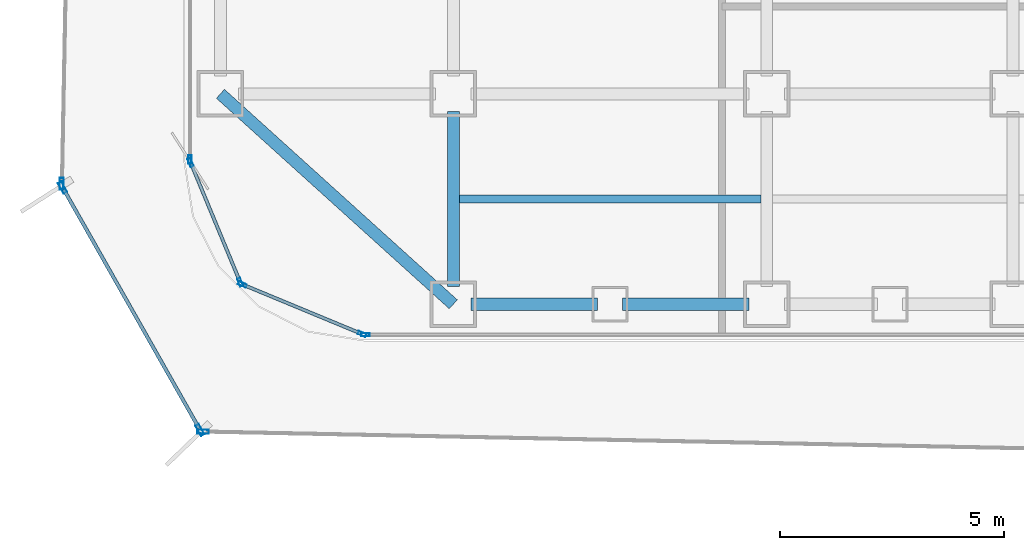
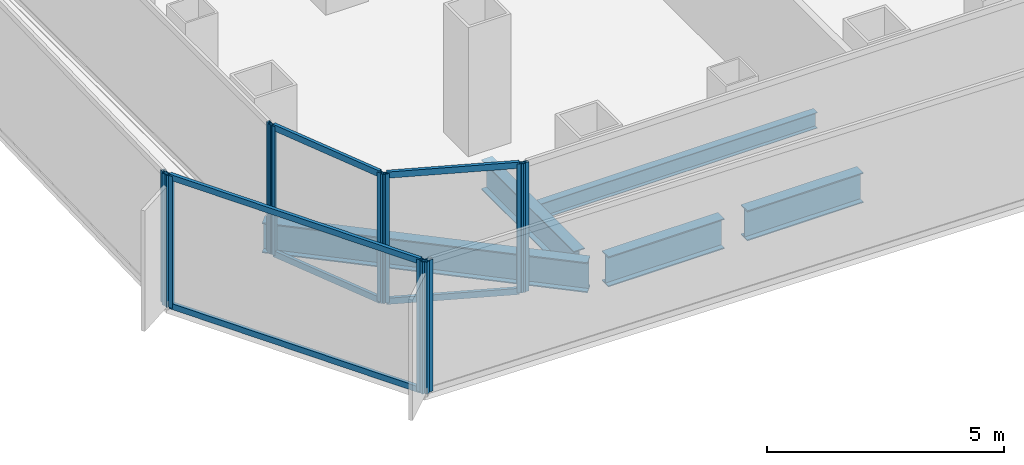
# One storey, part 2 of 21: 16 members, 5 beams, 7 elements without a shape of their own.
"""IFC4 building model written with IfcOpenShell, lengths in metres."""

from ifc_helpers import new_model, si_unit, direction, frame, origin, origin_2d, place, context, subcontext, project, spatial, hollow_rectangle, i_section, extrude, source, transform, mapped, material, layer, layer_set, material_profile, profile_set, type_object, element, aggregate, save


model = new_model("IFC4")

# Units and contexts
model_context = context("Model", 3, precision=1e-05, world=origin(), true_north=direction((0.0, 1.0)))
body_context = subcontext(model_context, "Body", "Model", "MODEL_VIEW")
ifc_project = project(units=[si_unit("LENGTHUNIT", "METRE"), si_unit("AREAUNIT", "SQUARE_METRE"), si_unit("VOLUMEUNIT", "CUBIC_METRE"), si_unit("PLANEANGLEUNIT", "RADIAN"), si_unit("MASSUNIT", "GRAM", prefix="KILO")], contexts=[model_context])

# Site, building, storey
site_placement = place(None, origin())
site = spatial("IfcSite", under=ifc_project, at=site_placement, CompositionType="ELEMENT")
building_placement = place(site_placement, origin())
building = spatial("IfcBuilding", under=site, at=building_placement, Name="Kolveth Station Tower", CompositionType="ELEMENT")
storey_placement = place(building_placement, frame((0.0, 0.0, 62.10009765625)))
storey = spatial("IfcBuildingStorey", under=building, at=storey_placement, Name="L16", CompositionType="ELEMENT", Elevation=62.10009765625)

# Beams
ifc_material_1 = material(Name="Steel S355", Category="steel")
ifc_material_profile_1 = material_profile(ifc_material_1, i_section(OverallWidth=0.26904296875, OverallDepth=0.77490234375, WebThickness=0.01708984375, FlangeThickness=0.0283203125, at=origin_2d()), Name="W760x220")
ifc_profile_set_1 = profile_set([ifc_material_profile_1], Name="Steel S355")
beam_type_1 = type_object("IfcBeamType", Name="Beam_SP1", PredefinedType="SPANDREL", material=ifc_profile_set_1)
shared_shape_1 = source(origin(), body_context, "Body", "SweptSolid", [
    extrude(i_section(OverallWidth=0.26904296875, OverallDepth=0.77490234375, WebThickness=0.01708984375, FlangeThickness=0.0283203125, at=origin_2d()), origin(), (0.0, 0.0, 1.0), 7.00927734375),
])
beam_1_placement = place(storey_placement, frame((0.800048828125, 5.5, -0.66748046875), z_axis=(0.741874009795, -0.670539300557, 0.0), x_axis=(0.670539300557, 0.741874009795, 0.0)))
element("IfcBeam", 1, at=beam_1_placement, inside=storey, type_object=beam_type_1, Name="L16 Corner Edge Girder BM-L16-CNR-SW", PredefinedType="SPANDREL", context=body_context, shape_type="MappedRepresentation", body=[
    mapped(shared_shape_1, transform((0.0, 0.0, 0.0), x_axis=(1.0, 0.0, 0.0), y_axis=(0.0, 1.0, 0.0), z_axis=(0.0, 0.0, 1.0), scale=1.0)),
])
shared_shape_2 = source(origin(), body_context, "Body", "SweptSolid", [
    extrude(i_section(OverallWidth=0.26904296875, OverallDepth=0.77490234375, WebThickness=0.01708984375, FlangeThickness=0.0283203125, at=origin_2d()), origin(), (0.0, 0.0, 1.0), 2.820068359375),
])
for number, where, z_axis, x_axis, name in (
    (2, (6.39990234375, 0.800048828125, -0.66748046875), (1.0, 0.0, 0.0), (0.0, 1.0, 0.0), "L16 Perimeter Spandrel BM-L16-PS-1"),
    (3, (9.780029296875, 0.800048828125, -0.66748046875), (1.0, 0.0, 0.0), (0.0, 1.0, 0.0), "L16 Perimeter Spandrel BM-L16-PS-2"),
):
    element("IfcBeam", number, at=place(storey_placement, frame(where, z_axis=z_axis, x_axis=x_axis)), inside=storey, type_object=beam_type_1, Name=name, PredefinedType="SPANDREL", context=body_context, shape_type="MappedRepresentation", body=[
        mapped(shared_shape_2, transform((0.0, 0.0, 0.0), x_axis=(1.0, 0.0, 0.0), y_axis=(0.0, 1.0, 0.0), z_axis=(0.0, 0.0, 1.0), scale=1.0)),
    ])
ifc_material_profile_2 = material_profile(ifc_material_1, i_section(OverallWidth=0.26708984375, OverallDepth=0.76611328125, WebThickness=0.014892578125, FlangeThickness=0.023681640625, at=origin_2d()), Name="W760x185")
ifc_profile_set_2 = profile_set([ifc_material_profile_2], Name="Steel S355")
beam_type_2 = type_object("IfcBeamType", Name="Beam_B3", PredefinedType="BEAM", material=ifc_profile_set_2)
shared_shape_3 = source(origin(), body_context, "Body", "SweptSolid", [
    extrude(i_section(OverallWidth=0.26708984375, OverallDepth=0.76611328125, WebThickness=0.014892578125, FlangeThickness=0.023681640625, at=origin_2d()), origin(), (0.0, 0.0, 1.0), 3.900146484375),
])
beam_2_placement = place(storey_placement, frame((6.0, 1.199951171875, -0.6630859375), z_axis=(0.0, 1.0, 0.0), x_axis=(-1.0, 0.0, 0.0)))
element("IfcBeam", 4, at=beam_2_placement, inside=storey, type_object=beam_type_2, Name="L16 Primary Girder BM-L16-GX60-1", PredefinedType="BEAM", context=body_context, shape_type="MappedRepresentation", body=[
    mapped(shared_shape_3, transform((0.0, 0.0, 0.0), x_axis=(1.0, 0.0, 0.0), y_axis=(0.0, 1.0, 0.0), z_axis=(0.0, 0.0, 1.0), scale=1.0)),
])
ifc_material_profile_3 = material_profile(ifc_material_1, i_section(OverallWidth=0.177978515625, OverallDepth=0.406982421875, WebThickness=0.0078125, FlangeThickness=0.0126953125, at=origin_2d()), Name="W410x60")
ifc_profile_set_3 = profile_set([ifc_material_profile_3], Name="Steel S355")
beam_type_3 = type_object("IfcBeamType", Name="Beam_J1", PredefinedType="JOIST", material=ifc_profile_set_3)
shared_shape_4 = source(origin(), body_context, "Body", "SweptSolid", [
    extrude(i_section(OverallWidth=0.177978515625, OverallDepth=0.406982421875, WebThickness=0.0078125, FlangeThickness=0.0126953125, at=origin_2d()), origin(), (0.0, 0.0, 1.0), 6.73681640625),
])
beam_3_placement = place(storey_placement, frame((6.131591796875, 3.14990234375, -0.483642578125), z_axis=(1.0, 0.0, 0.0), x_axis=(0.0, 1.0, 0.0)))
element("IfcBeam", 5, at=beam_3_placement, inside=storey, type_object=beam_type_3, Name="L16 Secondary Joist JST-L16-2-1", PredefinedType="JOIST", context=body_context, shape_type="MappedRepresentation", body=[
    mapped(shared_shape_4, transform((0.0, 0.0, 0.0), x_axis=(1.0, 0.0, 0.0), y_axis=(0.0, 1.0, 0.0), z_axis=(0.0, 0.0, 1.0), scale=1.0)),
])

# Curtain wall, members
ifc_material_2 = material(Name="Aluminium 6063-T6 and low-E dark glass", Category="aluminium")
ifc_layer_1 = layer(ifc_material_2, 0.179931640625)
ifc_layer_set_1 = layer_set([ifc_layer_1], Name="Aluminium 6063-T6 and low-E dark glass")
curtain_wall_type_1 = type_object("IfcCurtainWallType", Name="CurtainWall_CW-Z1", PredefinedType="NOTDEFINED", material=ifc_layer_set_1)
curtain_wall_1_placement = place(storey_placement, origin())
curtain_wall_1 = element("IfcCurtainWall", 6, at=curtain_wall_1_placement, inside=storey, type_object=curtain_wall_type_1, Name="L16 Inner Thermal Curtain Wall 10", PredefinedType="NOTDEFINED")
ifc_material_3 = material(Name="Black anodized aluminium 6063-T6", Category="aluminium")
ifc_material_profile_4 = material_profile(ifc_material_3, hollow_rectangle(XDim=0.074951171875, YDim=0.159912109375, WallThickness=0.0048828125, at=origin_2d()), Name="ALU-75x160x5")
ifc_profile_set_4 = profile_set([ifc_material_profile_4], Name="Black anodized aluminium 6063-T6")
member_type_1 = type_object("IfcMemberType", Name="Transom_TR1", PredefinedType="USERDEFINED", material=ifc_profile_set_4)
shared_shape_5 = source(origin(), body_context, "Body", "SweptSolid", [
    extrude(hollow_rectangle(XDim=0.074951171875, YDim=0.159912109375, WallThickness=0.0048828125, at=origin_2d()), origin(), (0.0, 0.0, 1.0), 2.819580078125),
])
member_1_placement = place(storey_placement, frame((0.148681640625, 3.9306640625, 0.037353515625), z_axis=(0.382708655389, -0.923869084389, 0.0), x_axis=(0.923869084389, 0.382708655389, 0.0)))
member_1 = element("IfcMember", 7, at=member_1_placement, type_object=member_type_1, Name="CW-Z1 transom 1.1", ObjectType="TRANSOM", PredefinedType="USERDEFINED", context=body_context, shape_type="MappedRepresentation", body=[
    mapped(shared_shape_5, transform((0.0, 0.0, 0.0), x_axis=(1.0, 0.0, 0.0), y_axis=(0.0, 1.0, 0.0), z_axis=(0.0, 0.0, 1.0), scale=1.0)),
])
member_2_placement = place(storey_placement, frame((0.148681640625, 3.9306640625, 3.282470703125), z_axis=(0.382708655389, -0.923869084389, 0.0), x_axis=(0.923869084389, 0.382708655389, 0.0)))
member_2 = element("IfcMember", 8, at=member_2_placement, type_object=member_type_1, Name="CW-Z1 transom 1.2", ObjectType="TRANSOM", PredefinedType="USERDEFINED", context=body_context, shape_type="MappedRepresentation", body=[
    mapped(shared_shape_5, transform((0.0, 0.0, 0.0), x_axis=(1.0, 0.0, 0.0), y_axis=(0.0, 1.0, 0.0), z_axis=(0.0, 0.0, 1.0), scale=1.0)),
])

curtain_wall_2_placement = place(storey_placement, origin())
curtain_wall_2 = element("IfcCurtainWall", 9, at=curtain_wall_2_placement, inside=storey, type_object=curtain_wall_type_1, Name="L16 Inner Thermal Curtain Wall 11", PredefinedType="NOTDEFINED")
member_3_placement = place(storey_placement, frame((1.32568359375, 1.227783203125, 0.037353515625), z_axis=(0.923869084389, -0.382708655389, 0.0), x_axis=(0.382708655389, 0.923869084389, 0.0)))
member_3 = element("IfcMember", 10, at=member_3_placement, type_object=member_type_1, Name="CW-Z1 transom 1.1", ObjectType="TRANSOM", PredefinedType="USERDEFINED", context=body_context, shape_type="MappedRepresentation", body=[
    mapped(shared_shape_5, transform((0.0, 0.0, 0.0), x_axis=(1.0, 0.0, 0.0), y_axis=(0.0, 1.0, 0.0), z_axis=(0.0, 0.0, 1.0), scale=1.0)),
])
member_4_placement = place(storey_placement, frame((1.32568359375, 1.227783203125, 3.282470703125), z_axis=(0.923869084389, -0.382708655389, 0.0), x_axis=(0.382708655389, 0.923869084389, 0.0)))
member_4 = element("IfcMember", 11, at=member_4_placement, type_object=member_type_1, Name="CW-Z1 transom 1.2", ObjectType="TRANSOM", PredefinedType="USERDEFINED", context=body_context, shape_type="MappedRepresentation", body=[
    mapped(shared_shape_5, transform((0.0, 0.0, 0.0), x_axis=(1.0, 0.0, 0.0), y_axis=(0.0, 1.0, 0.0), z_axis=(0.0, 0.0, 1.0), scale=1.0)),
])

# Curtain wall, member
ifc_material_4 = material(Name="Black anodized aluminium 6063-T6 and dark solar glass", Category="aluminium")
ifc_layer_2 = layer(ifc_material_4, 0.159912109375)
ifc_layer_set_2 = layer_set([ifc_layer_2], Name="Black anodized aluminium 6063-T6 and dark solar glass")
curtain_wall_type_2 = type_object("IfcCurtainWallType", Name="OUTER SKIN CW-OS", PredefinedType="NOTDEFINED", material=ifc_layer_set_2)
curtain_wall_3_placement = place(storey_placement, origin())
curtain_wall_3 = element("IfcCurtainWall", 12, at=curtain_wall_3_placement, inside=storey, type_object=curtain_wall_type_2, Name="L16 Outer Ventilated Skin Curtain Wall 6", PredefinedType="NOTDEFINED")
ifc_material_profile_5 = material_profile(ifc_material_3, hollow_rectangle(XDim=0.090087890625, YDim=0.260009765625, WallThickness=0.0048828125, at=origin_2d()), Name="ALU-90x260x5")
ifc_profile_set_5 = profile_set([ifc_material_profile_5], Name="Black anodized aluminium 6063-T6")
member_type_2 = type_object("IfcMemberType", Name="FIN MULLION ML-OS", PredefinedType="MULLION", material=ifc_profile_set_5)
shared_shape_6 = source(origin(), body_context, "Body", "SweptSolid", [
    extrude(hollow_rectangle(XDim=0.090087890625, YDim=0.260009765625, WallThickness=0.0048828125, at=origin_2d()), origin(), (0.0, 0.0, 1.0), 3.389892578125),
])
member_5_placement = place(storey_placement, frame((-2.7451171875, 3.49072265625, 0.0), z_axis=(0.0, 0.0, 1.0), x_axis=(0.999817465529, -0.019105905432, 0.0)))
member_5 = element("IfcMember", 13, at=member_5_placement, type_object=member_type_2, Name="CW-OS mullion 2", PredefinedType="MULLION", context=body_context, shape_type="MappedRepresentation", body=[
    mapped(shared_shape_6, transform((0.0, 0.0, 0.0), x_axis=(1.0, 0.0, 0.0), y_axis=(0.0, 1.0, 0.0), z_axis=(0.0, 0.0, 1.0), scale=1.0)),
])
aggregate(curtain_wall_3, [member_5])

# Curtain wall, members
curtain_wall_4_placement = place(storey_placement, origin())
curtain_wall_4 = element("IfcCurtainWall", 14, at=curtain_wall_4_placement, inside=storey, type_object=curtain_wall_type_2, Name="L16 Outer Ventilated Skin Curtain Wall 7", PredefinedType="NOTDEFINED")
member_6_placement = place(storey_placement, frame((-2.723876953125, 3.40673828125, 0.0), z_axis=(0.0, 0.0, 1.0), x_axis=(0.870000438445, 0.493050947779, 0.0)))
member_6 = element("IfcMember", 15, at=member_6_placement, type_object=member_type_2, Name="CW-OS mullion 1", PredefinedType="MULLION", context=body_context, shape_type="MappedRepresentation", body=[
    mapped(shared_shape_6, transform((0.0, 0.0, 0.0), x_axis=(1.0, 0.0, 0.0), y_axis=(0.0, 1.0, 0.0), z_axis=(0.0, 0.0, 1.0), scale=1.0)),
])
member_7_placement = place(storey_placement, frame((0.34375, -2.00634765625, 0.0), z_axis=(0.0, 0.0, 1.0), x_axis=(0.870000438445, 0.493050947779, 0.0)))
member_7 = element("IfcMember", 16, at=member_7_placement, type_object=member_type_2, Name="CW-OS mullion 2", PredefinedType="MULLION", context=body_context, shape_type="MappedRepresentation", body=[
    mapped(shared_shape_6, transform((0.0, 0.0, 0.0), x_axis=(1.0, 0.0, 0.0), y_axis=(0.0, 1.0, 0.0), z_axis=(0.0, 0.0, 1.0), scale=1.0)),
])

# Curtain wall, member
curtain_wall_5_placement = place(storey_placement, origin())
curtain_wall_5 = element("IfcCurtainWall", 17, at=curtain_wall_5_placement, inside=storey, type_object=curtain_wall_type_2, Name="L16 Outer Ventilated Skin Curtain Wall 8", PredefinedType="NOTDEFINED")
member_8_placement = place(storey_placement, frame((0.410888671875, -2.04638671875, 0.0), z_axis=(0.0, 0.0, 1.0), x_axis=(0.020354186443, 0.999792832088, 0.0)))
member_8 = element("IfcMember", 18, at=member_8_placement, type_object=member_type_2, Name="CW-OS mullion 1", PredefinedType="MULLION", context=body_context, shape_type="MappedRepresentation", body=[
    mapped(shared_shape_6, transform((0.0, 0.0, 0.0), x_axis=(1.0, 0.0, 0.0), y_axis=(0.0, 1.0, 0.0), z_axis=(0.0, 0.0, 1.0), scale=1.0)),
])
aggregate(curtain_wall_5, [member_8])

curtain_wall_6_placement = place(storey_placement, origin())
curtain_wall_6 = element("IfcCurtainWall", 19, at=curtain_wall_6_placement, inside=storey, type_object=curtain_wall_type_1, Name="L16 Inner Thermal Curtain Wall 9", PredefinedType="NOTDEFINED")
ifc_material_profile_6 = material_profile(ifc_material_3, hollow_rectangle(XDim=0.074951171875, YDim=0.18994140625, WallThickness=0.0048828125, at=origin_2d()), Name="ALU-75x190x5")
ifc_profile_set_6 = profile_set([ifc_material_profile_6], Name="Black anodized aluminium 6063-T6")
member_type_3 = type_object("IfcMemberType", Name="Mullion_ML1", PredefinedType="MULLION", material=ifc_profile_set_6)
shared_shape_7 = source(origin(), body_context, "Body", "SweptSolid", [
    extrude(hollow_rectangle(XDim=0.074951171875, YDim=0.18994140625, WallThickness=0.0048828125, at=origin_2d()), origin(), (0.0, 0.0, 1.0), 3.31982421875),
])
member_9_placement = place(storey_placement, frame((0.1201171875, 4.03759765625, 0.0), z_axis=(0.0, 0.0, 1.0), x_axis=(1.0, 0.0, 0.0)))
member_9 = element("IfcMember", 20, at=member_9_placement, type_object=member_type_3, Name="CW-Z1 mullion 2", PredefinedType="MULLION", context=body_context, shape_type="MappedRepresentation", body=[
    mapped(shared_shape_7, transform((0.0, 0.0, 0.0), x_axis=(1.0, 0.0, 0.0), y_axis=(0.0, 1.0, 0.0), z_axis=(0.0, 0.0, 1.0), scale=1.0)),
])
aggregate(curtain_wall_6, [member_9])

# Member
member_10_placement = place(storey_placement, frame((0.13427734375, 3.96533203125, 0.0), z_axis=(0.0, 0.0, 1.0), x_axis=(0.923883857728, 0.382672990201, 0.0)))
member_10 = element("IfcMember", 21, at=member_10_placement, type_object=member_type_3, Name="CW-Z1 mullion 1", PredefinedType="MULLION", context=body_context, shape_type="MappedRepresentation", body=[
    mapped(shared_shape_7, transform((0.0, 0.0, 0.0), x_axis=(1.0, 0.0, 0.0), y_axis=(0.0, 1.0, 0.0), z_axis=(0.0, 0.0, 1.0), scale=1.0)),
])

member_11_placement = place(storey_placement, frame((1.241943359375, 1.291015625, 0.0), z_axis=(0.0, 0.0, 1.0), x_axis=(0.923883857728, 0.382672990201, 0.0)))
member_11 = element("IfcMember", 22, at=member_11_placement, type_object=member_type_3, Name="CW-Z1 mullion 2", PredefinedType="MULLION", context=body_context, shape_type="MappedRepresentation", body=[
    mapped(shared_shape_7, transform((0.0, 0.0, 0.0), x_axis=(1.0, 0.0, 0.0), y_axis=(0.0, 1.0, 0.0), z_axis=(0.0, 0.0, 1.0), scale=1.0)),
])

aggregate(curtain_wall_1, [member_10, member_11, member_1, member_2])

member_12_placement = place(storey_placement, frame((1.291015625, 1.241943359375, 0.0), z_axis=(0.0, 0.0, 1.0), x_axis=(0.382672990201, 0.923883857728, 0.0)))
member_12 = element("IfcMember", 23, at=member_12_placement, type_object=member_type_3, Name="CW-Z1 mullion 1", PredefinedType="MULLION", context=body_context, shape_type="MappedRepresentation", body=[
    mapped(shared_shape_7, transform((0.0, 0.0, 0.0), x_axis=(1.0, 0.0, 0.0), y_axis=(0.0, 1.0, 0.0), z_axis=(0.0, 0.0, 1.0), scale=1.0)),
])

member_13_placement = place(storey_placement, frame((3.96533203125, 0.13427734375, 0.0), z_axis=(0.0, 0.0, 1.0), x_axis=(0.382672990201, 0.923883857728, 0.0)))
member_13 = element("IfcMember", 24, at=member_13_placement, type_object=member_type_3, Name="CW-Z1 mullion 2", PredefinedType="MULLION", context=body_context, shape_type="MappedRepresentation", body=[
    mapped(shared_shape_7, transform((0.0, 0.0, 0.0), x_axis=(1.0, 0.0, 0.0), y_axis=(0.0, 1.0, 0.0), z_axis=(0.0, 0.0, 1.0), scale=1.0)),
])

aggregate(curtain_wall_2, [member_12, member_13, member_3, member_4])

# Curtain wall, member
curtain_wall_7_placement = place(storey_placement, origin())
curtain_wall_7 = element("IfcCurtainWall", 25, at=curtain_wall_7_placement, inside=storey, type_object=curtain_wall_type_1, Name="L16 Inner Thermal Curtain Wall 12", PredefinedType="NOTDEFINED")
member_14_placement = place(storey_placement, frame((4.03759765625, 0.1201171875, 0.0), z_axis=(0.0, 0.0, 1.0), x_axis=(0.0, 1.0, 0.0)))
member_14 = element("IfcMember", 26, at=member_14_placement, type_object=member_type_3, Name="CW-Z1 mullion 1", PredefinedType="MULLION", context=body_context, shape_type="MappedRepresentation", body=[
    mapped(shared_shape_7, transform((0.0, 0.0, 0.0), x_axis=(1.0, 0.0, 0.0), y_axis=(0.0, 1.0, 0.0), z_axis=(0.0, 0.0, 1.0), scale=1.0)),
])
aggregate(curtain_wall_7, [member_14])

# Member
ifc_material_profile_7 = material_profile(ifc_material_3, hollow_rectangle(XDim=0.080078125, YDim=0.14990234375, WallThickness=0.0048828125, at=origin_2d()), Name="ALU-80x150x5")
ifc_profile_set_7 = profile_set([ifc_material_profile_7], Name="Black anodized aluminium 6063-T6")
member_type_4 = type_object("IfcMemberType", Name="Transom_TR-OS", PredefinedType="USERDEFINED", material=ifc_profile_set_7)
shared_shape_8 = source(origin(), body_context, "Body", "SweptSolid", [
    extrude(hollow_rectangle(XDim=0.080078125, YDim=0.14990234375, WallThickness=0.0048828125, at=origin_2d()), origin(), (0.0, 0.0, 1.0), 6.131591796875),
])
member_15_placement = place(storey_placement, frame((-2.70166015625, 3.367431640625, 0.039794921875), z_axis=(0.493052756727, -0.869999413267, 0.0), x_axis=(0.869999413267, 0.493052756727, 0.0)))
member_15 = element("IfcMember", 27, at=member_15_placement, type_object=member_type_4, Name="CW-OS transom 1.1", ObjectType="TRANSOM", PredefinedType="USERDEFINED", context=body_context, shape_type="MappedRepresentation", body=[
    mapped(shared_shape_8, transform((0.0, 0.0, 0.0), x_axis=(1.0, 0.0, 0.0), y_axis=(0.0, 1.0, 0.0), z_axis=(0.0, 0.0, 1.0), scale=1.0)),
])

member_16_placement = place(storey_placement, frame((-2.70166015625, 3.367431640625, 3.349853515625), z_axis=(0.493052756727, -0.869999413267, 0.0), x_axis=(0.869999413267, 0.493052756727, 0.0)))
member_16 = element("IfcMember", 28, at=member_16_placement, type_object=member_type_4, Name="CW-OS transom 1.2", ObjectType="TRANSOM", PredefinedType="USERDEFINED", context=body_context, shape_type="MappedRepresentation", body=[
    mapped(shared_shape_8, transform((0.0, 0.0, 0.0), x_axis=(1.0, 0.0, 0.0), y_axis=(0.0, 1.0, 0.0), z_axis=(0.0, 0.0, 1.0), scale=1.0)),
])

aggregate(curtain_wall_4, [member_6, member_7, member_15, member_16])

save(model, "model.ifc")
